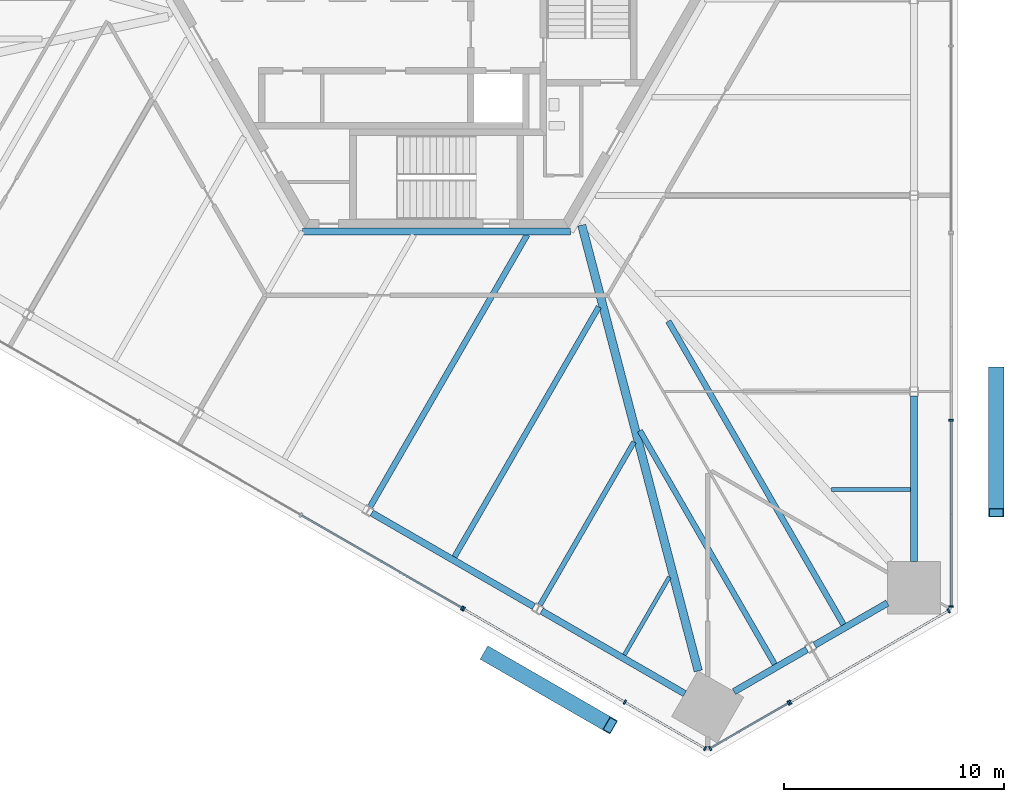
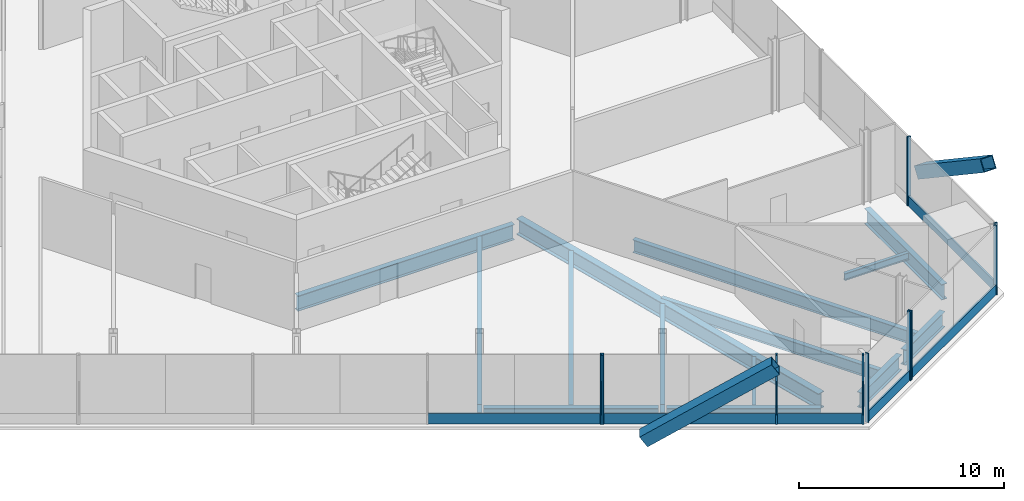
# One storey, part 4 of 17: 18 members, 14 beams, 5 elements without a shape of their own.
"""IFC4 building model written with IfcOpenShell, lengths in metres."""

from ifc_helpers import new_model, si_unit, direction, frame, origin, origin_2d, place, context, subcontext, project, spatial, rectangle, hollow_rectangle, i_section, extrude, source, transform, mapped, material, material_profile, profile_set, type_object, element, aggregate, save


model = new_model("IFC4")

# Units and contexts
model_context = context("Model", 3, precision=1e-05, world=origin(), true_north=direction((0.0, 1.0)))
body_context = subcontext(model_context, "Body", "Model", "MODEL_VIEW")
ifc_project = project(units=[si_unit("LENGTHUNIT", "METRE"), si_unit("AREAUNIT", "SQUARE_METRE"), si_unit("VOLUMEUNIT", "CUBIC_METRE"), si_unit("PLANEANGLEUNIT", "RADIAN"), si_unit("MASSUNIT", "GRAM", prefix="KILO")], contexts=[model_context])

# Site, building, storey
site_placement = place(None, origin())
site = spatial("IfcSite", under=ifc_project, at=site_placement, CompositionType="ELEMENT")
building_placement = place(site_placement, origin())
building = spatial("IfcBuilding", under=site, at=building_placement, Name="Triune Harvest Tower", CompositionType="ELEMENT")
storey_placement = place(building_placement, frame((0.0, 0.0, 46.10009765625)))
storey = spatial("IfcBuildingStorey", under=building, at=storey_placement, Name="L10", CompositionType="ELEMENT", Elevation=46.10009765625)

# Beams
ifc_material_1 = material(Name="Steel ASTM A992 Gr 50", Category="steel")
ifc_material_profile_1 = material_profile(ifc_material_1, i_section(OverallWidth=0.3046875, OverallDepth=0.914306640625, WebThickness=0.0166015625, FlangeThickness=0.02587890625, at=origin_2d()), Name="W36x160")
ifc_profile_set_1 = profile_set([ifc_material_profile_1], Name="Steel ASTM A992 Gr 50")
beam_type_1 = type_object("IfcBeamType", Name="CG-1 Core ring girder W36x160", PredefinedType="BEAM", material=ifc_profile_set_1)
shared_shape_1 = source(origin(), body_context, "Body", "SweptSolid", [
    extrude(i_section(OverallWidth=0.3046875, OverallDepth=0.914306640625, WebThickness=0.0166015625, FlangeThickness=0.02587890625, at=origin_2d()), origin(), (0.0, 0.0, 1.0), 12.17578125),
])
beam_1_placement = place(storey_placement, frame((-6.087890625, -10.544677734375, -0.6572265625), z_axis=(1.0, 0.0, 0.0), x_axis=(0.0, 1.0, 0.0)))
element("IfcBeam", 1, at=beam_1_placement, inside=storey, type_object=beam_type_1, Name="beam/L10/CG5", PredefinedType="BEAM", context=body_context, shape_type="MappedRepresentation", body=[
    mapped(shared_shape_1, transform((0.0, 0.0, 0.0), scale=1.0)),
])
ifc_material_2 = material(Name="Steel ASTM A992 Gr 50", Category="steel")
ifc_material_profile_2 = material_profile(ifc_material_2, i_section(OverallWidth=0.383544921875, OverallDepth=0.9423828125, WebThickness=0.022216796875, FlangeThickness=0.039794921875, at=origin_2d()), Name="W36x232")
ifc_profile_set_2 = profile_set([ifc_material_profile_2], Name="Steel ASTM A992 Gr 50")
beam_type_2 = type_object("IfcBeamType", Name="HG-1 Hip girder W36x232", PredefinedType="BEAM", material=ifc_profile_set_2)
shared_shape_2 = source(origin(), body_context, "Body", "SweptSolid", [
    extrude(i_section(OverallWidth=0.383544921875, OverallDepth=0.9423828125, WebThickness=0.022216796875, FlangeThickness=0.039794921875, at=origin_2d()), origin(), (0.0, 0.0, 1.0), 20.931884765625),
])
beam_2_placement = place(storey_placement, frame((11.8828125, -30.50830078125, -0.67138671875), z_axis=(-0.252690148393, 0.967547254094, 0.0), x_axis=(-0.967547254094, -0.252690148393, 0.0)))
element("IfcBeam", 2, at=beam_2_placement, inside=storey, type_object=beam_type_2, Name="beam/L10/HG6", PredefinedType="BEAM", context=body_context, shape_type="MappedRepresentation", body=[
    mapped(shared_shape_2, transform((0.0, 0.0, 0.0), scale=1.0)),
])
ifc_material_3 = material(Name="Steel ASTM A992 Gr 50", Category="steel")
ifc_material_profile_3 = material_profile(ifc_material_3, i_section(OverallWidth=0.2666015625, OverallDepth=0.7568359375, WebThickness=0.013916015625, FlangeThickness=0.019287109375, at=origin_2d()), Name="W30x108")
ifc_profile_set_3 = profile_set([ifc_material_profile_3], Name="Steel ASTM A992 Gr 50")
beam_type_3 = type_object("IfcBeamType", Name="JT-5 Floor joist W30x108", PredefinedType="JOIST", material=ifc_profile_set_3)
shared_shape_3 = source(origin(), body_context, "Body", "SweptSolid", [
    extrude(i_section(OverallWidth=0.2666015625, OverallDepth=0.7568359375, WebThickness=0.013916015625, FlangeThickness=0.019287109375, at=origin_2d()), origin(), (0.0, 0.0, 1.0), 14.2685546875),
])
beam_3_placement = place(storey_placement, frame((-3.02197265625, -23.053955078125, -0.57861328125), z_axis=(0.499999916269, 0.866025452127, 0.0), x_axis=(-0.866025452127, 0.499999916269, 0.0)))
element("IfcBeam", 3, at=beam_3_placement, inside=storey, type_object=beam_type_3, Name="beam/L10/JT34", PredefinedType="JOIST", context=body_context, shape_type="MappedRepresentation", body=[
    mapped(shared_shape_3, transform((0.0, 0.0, 0.0), scale=1.0)),
])
ifc_material_4 = material(Name="Steel ASTM A992 Gr 50", Category="steel")
ifc_material_profile_4 = material_profile(ifc_material_4, i_section(OverallWidth=0.22900390625, OverallDepth=0.612060546875, WebThickness=0.011962890625, FlangeThickness=0.01953125, at=origin_2d()), Name="W24x84")
ifc_profile_set_4 = profile_set([ifc_material_profile_4], Name="Steel ASTM A992 Gr 50")
beam_type_4 = type_object("IfcBeamType", Name="JT-3 Floor joist W24x84", PredefinedType="JOIST", material=ifc_profile_set_4)
shared_shape_4 = source(origin(), body_context, "Body", "SweptSolid", [
    extrude(i_section(OverallWidth=0.22900390625, OverallDepth=0.612060546875, WebThickness=0.011962890625, FlangeThickness=0.01953125, at=origin_2d()), origin(), (0.0, 0.0, 1.0), 8.54736328125),
])
beam_4_placement = place(storey_placement, frame((4.6943359375, -27.509033203125, -0.506103515625), z_axis=(0.499994426748, 0.866028621479, 0.0), x_axis=(-0.866028621479, 0.499994426748, 0.0)))
element("IfcBeam", 4, at=beam_4_placement, inside=storey, type_object=beam_type_4, Name="beam/L10/JT36", PredefinedType="JOIST", context=body_context, shape_type="MappedRepresentation", body=[
    mapped(shared_shape_4, transform((0.0, 0.0, 0.0), scale=1.0)),
])
ifc_material_5 = material(Name="Steel ASTM A992 Gr 50", Category="steel")
ifc_material_profile_5 = material_profile(ifc_material_5, i_section(OverallWidth=0.3046875, OverallDepth=0.914306640625, WebThickness=0.0166015625, FlangeThickness=0.02587890625, at=origin_2d()), Name="W36x160")
ifc_profile_set_5 = profile_set([ifc_material_profile_5], Name="Steel ASTM A992 Gr 50")
beam_type_5 = type_object("IfcBeamType", Name="SB-1 Spandrel beam W36x160", PredefinedType="SPANDREL", material=ifc_profile_set_5)
shared_shape_5 = source(origin(), body_context, "Body", "SweptSolid", [
    extrude(i_section(OverallWidth=0.3046875, OverallDepth=0.914306640625, WebThickness=0.0166015625, FlangeThickness=0.02587890625, at=origin_2d()), origin(), (0.0, 0.0, 1.0), 7.508056640625),
])
beam_5_placement = place(storey_placement, frame((21.679443359375, -25.530029296875, -0.6572265625), z_axis=(0.0, 1.0, 0.0), x_axis=(-1.0, 0.0, 0.0)))
element("IfcBeam", 5, at=beam_5_placement, inside=storey, type_object=beam_type_5, Name="beam/L10/SB1", PredefinedType="SPANDREL", context=body_context, shape_type="MappedRepresentation", body=[
    mapped(shared_shape_5, transform((0.0, 0.0, 0.0), scale=1.0)),
])
shared_shape_6 = source(origin(), body_context, "Body", "SweptSolid", [
    extrude(i_section(OverallWidth=0.3046875, OverallDepth=0.914306640625, WebThickness=0.0166015625, FlangeThickness=0.02587890625, at=origin_2d()), origin(), (0.0, 0.0, 1.0), 8.506103515625),
])
beam_6_placement = place(storey_placement, frame((-2.948486328125, -23.3310546875, -0.6572265625), z_axis=(0.866030246746, -0.49999161165, 0.0), x_axis=(0.49999161165, 0.866030246746, 0.0)))
element("IfcBeam", 6, at=beam_6_placement, inside=storey, type_object=beam_type_5, Name="beam/L10/SB21", PredefinedType="SPANDREL", context=body_context, shape_type="MappedRepresentation", body=[
    mapped(shared_shape_6, transform((0.0, 0.0, 0.0), scale=1.0)),
])
shared_shape_7 = source(origin(), body_context, "Body", "SweptSolid", [
    extrude(i_section(OverallWidth=0.3046875, OverallDepth=0.914306640625, WebThickness=0.0166015625, FlangeThickness=0.02587890625, at=origin_2d()), origin(), (0.0, 0.0, 1.0), 3.822265625),
])
beam_7_placement = place(storey_placement, frame((17.169189453125, -29.333984375, -0.6572265625), z_axis=(0.866033487859, 0.499985997711, 0.0), x_axis=(-0.499985997711, 0.866033487859, 0.0)))
element("IfcBeam", 7, at=beam_7_placement, inside=storey, type_object=beam_type_5, Name="beam/L10/SB24", PredefinedType="SPANDREL", context=body_context, shape_type="MappedRepresentation", body=[
    mapped(shared_shape_7, transform((0.0, 0.0, 0.0), scale=1.0)),
])
shared_shape_8 = source(origin(), body_context, "Body", "SweptSolid", [
    extrude(i_section(OverallWidth=0.3046875, OverallDepth=0.914306640625, WebThickness=0.0166015625, FlangeThickness=0.02587890625, at=origin_2d()), origin(), (0.0, 0.0, 1.0), 3.822509765625),
])
beam_8_placement = place(storey_placement, frame((13.509033203125, -31.447265625, -0.6572265625), z_axis=(0.866005830769, 0.500033899925, 0.0), x_axis=(-0.500033899925, 0.866005830769, 0.0)))
element("IfcBeam", 8, at=beam_8_placement, inside=storey, type_object=beam_type_5, Name="beam/L10/SB23", PredefinedType="SPANDREL", context=body_context, shape_type="MappedRepresentation", body=[
    mapped(shared_shape_8, transform((0.0, 0.0, 0.0), scale=1.0)),
])
shared_shape_9 = source(origin(), body_context, "Body", "SweptSolid", [
    extrude(i_section(OverallWidth=0.3046875, OverallDepth=0.914306640625, WebThickness=0.0166015625, FlangeThickness=0.02587890625, at=origin_2d()), origin(), (0.0, 0.0, 1.0), 7.50830078125),
])
beam_9_placement = place(storey_placement, frame((4.767578125, -27.785888671875, -0.6572265625), z_axis=(0.866027474485, -0.499996413425, 0.0), x_axis=(0.499996413425, 0.866027474485, 0.0)))
element("IfcBeam", 9, at=beam_9_placement, inside=storey, type_object=beam_type_5, Name="beam/L10/SB22", PredefinedType="SPANDREL", context=body_context, shape_type="MappedRepresentation", body=[
    mapped(shared_shape_9, transform((0.0, 0.0, 0.0), scale=1.0)),
])
ifc_material_6 = material(Name="Steel ASTM A992 Gr 50", Category="steel")
ifc_material_profile_6 = material_profile(ifc_material_6, i_section(OverallWidth=0.180908203125, OverallDepth=0.41650390625, WebThickness=0.010986328125, FlangeThickness=0.01806640625, at=origin_2d()), Name="W16x57")
ifc_profile_set_6 = profile_set([ifc_material_profile_6], Name="Steel ASTM A992 Gr 50")
beam_type_6 = type_object("IfcBeamType", Name="JT-1 Floor joist W16x57", PredefinedType="JOIST", material=ifc_profile_set_6)
shared_shape_10 = source(origin(), body_context, "Body", "SweptSolid", [
    extrude(i_section(OverallWidth=0.180908203125, OverallDepth=0.41650390625, WebThickness=0.010986328125, FlangeThickness=0.01806640625, at=origin_2d()), origin(), (0.0, 0.0, 1.0), 3.599365234375),
])
beam_10_placement = place(storey_placement, frame((21.527099609375, -22.27490234375, -0.408447265625), z_axis=(-1.0, 0.0, 0.0), x_axis=(0.0, -1.0, 0.0)))
element("IfcBeam", 10, at=beam_10_placement, inside=storey, type_object=beam_type_6, Name="beam/L10/JT1", PredefinedType="JOIST", context=body_context, shape_type="MappedRepresentation", body=[
    mapped(shared_shape_10, transform((0.0, 0.0, 0.0), scale=1.0)),
])
ifc_material_7 = material(Name="Steel ASTM A992 Gr 50", Category="steel")
ifc_material_profile_7 = material_profile(ifc_material_7, i_section(OverallWidth=0.253662109375, OverallDepth=0.683349609375, WebThickness=0.012451171875, FlangeThickness=0.01904296875, at=origin_2d()), Name="W27x94")
ifc_profile_set_7 = profile_set([ifc_material_profile_7], Name="Steel ASTM A992 Gr 50")
beam_type_7 = type_object("IfcBeamType", Name="JT-4 Floor joist W27x94", PredefinedType="JOIST", material=ifc_profile_set_7)
shared_shape_11 = source(origin(), body_context, "Body", "SweptSolid", [
    extrude(i_section(OverallWidth=0.253662109375, OverallDepth=0.683349609375, WebThickness=0.012451171875, FlangeThickness=0.01904296875, at=origin_2d()), origin(), (0.0, 0.0, 1.0), 13.110107421875),
])
beam_11_placement = place(storey_placement, frame((0.810791015625, -25.325439453125, -0.541748046875), z_axis=(0.500012613137, 0.866018121464, 0.0), x_axis=(-0.866018121464, 0.500012613137, 0.0)))
element("IfcBeam", 11, at=beam_11_placement, inside=storey, type_object=beam_type_7, Name="beam/L10/JT35", PredefinedType="JOIST", context=body_context, shape_type="MappedRepresentation", body=[
    mapped(shared_shape_11, transform((0.0, 0.0, 0.0), scale=1.0)),
])
shared_shape_12 = source(origin(), body_context, "Body", "SweptSolid", [
    extrude(i_section(OverallWidth=0.180908203125, OverallDepth=0.41650390625, WebThickness=0.010986328125, FlangeThickness=0.01806640625, at=origin_2d()), origin(), (0.0, 0.0, 1.0), 4.08642578125),
])
beam_12_placement = place(storey_placement, frame((8.527099609375, -29.780517578125, -0.408447265625), z_axis=(0.500013794443, 0.866017439413, 0.0), x_axis=(-0.866017439413, 0.500013794443, 0.0)))
element("IfcBeam", 12, at=beam_12_placement, inside=storey, type_object=beam_type_6, Name="beam/L10/JT37", PredefinedType="JOIST", context=body_context, shape_type="MappedRepresentation", body=[
    mapped(shared_shape_12, transform((0.0, 0.0, 0.0), scale=1.0)),
])
shared_shape_13 = source(origin(), body_context, "Body", "SweptSolid", [
    extrude(i_section(OverallWidth=0.253662109375, OverallDepth=0.683349609375, WebThickness=0.012451171875, FlangeThickness=0.01904296875, at=origin_2d()), origin(), (0.0, 0.0, 1.0), 12.2509765625),
])
beam_13_placement = place(storey_placement, frame((15.3564453125, -30.20458984375, -0.541748046875), z_axis=(-0.500001335473, 0.866024632748, 0.0), x_axis=(-0.866024632748, -0.500001335473, 0.0)))
element("IfcBeam", 13, at=beam_13_placement, inside=storey, type_object=beam_type_7, Name="beam/L10/JT38", PredefinedType="JOIST", context=body_context, shape_type="MappedRepresentation", body=[
    mapped(shared_shape_13, transform((0.0, 0.0, 0.0), scale=1.0)),
])
shared_shape_14 = source(origin(), body_context, "Body", "SweptSolid", [
    extrude(i_section(OverallWidth=0.2666015625, OverallDepth=0.7568359375, WebThickness=0.013916015625, FlangeThickness=0.019287109375, at=origin_2d()), origin(), (0.0, 0.0, 1.0), 15.90771484375),
])
beam_14_placement = place(storey_placement, frame((18.479736328125, -28.4013671875, -0.57861328125), z_axis=(-0.499996565981, 0.866027386407, 0.0), x_axis=(-0.866027386407, -0.499996565981, 0.0)))
element("IfcBeam", 14, at=beam_14_placement, inside=storey, type_object=beam_type_3, Name="beam/L10/JT39", PredefinedType="JOIST", context=body_context, shape_type="MappedRepresentation", body=[
    mapped(shared_shape_14, transform((0.0, 0.0, 0.0), scale=1.0)),
])

# Members
ifc_material_8 = material(Name="Steel ASTM A572 Gr 50", Category="steel")
ifc_material_profile_8 = material_profile(ifc_material_8, hollow_rectangle(XDim=0.699951171875, YDim=0.699951171875, WallThickness=0.0400390625, at=origin_2d()), Name="Box 700x700x40")
ifc_profile_set_8 = profile_set([ifc_material_profile_8], Name="Steel ASTM A572 Gr 50")
member_type_1 = type_object("IfcMemberType", Name="BR-1 Brace Box 700x700x40", PredefinedType="BRACE", material=ifc_profile_set_8)
shared_shape_15 = source(origin(), body_context, "Body", "SweptSolid", [
    extrude(hollow_rectangle(XDim=0.699951171875, YDim=0.699951171875, WallThickness=0.0400390625, at=origin_2d()), origin(), (0.0, 0.0, 1.0), 7.728271484375),
])
member_1_placement = place(storey_placement, frame((25.42138671875, -16.893798828125, 0.0), z_axis=(0.0, -0.830930779291, 0.556375808268), x_axis=(1.0, 0.0, 0.0)))
element("IfcMember", 15, at=member_1_placement, inside=storey, type_object=member_type_1, Name="brace/B1-F1/d2/8", PredefinedType="BRACE", context=body_context, shape_type="MappedRepresentation", body=[
    mapped(shared_shape_15, transform((0.0, 0.0, 0.0), scale=1.0)),
])
shared_shape_16 = source(origin(), body_context, "Body", "SweptSolid", [
    extrude(hollow_rectangle(XDim=0.699951171875, YDim=0.699951171875, WallThickness=0.0400390625, at=origin_2d()), origin(), (0.0, 0.0, 1.0), 7.728515625),
])
member_2_placement = place(storey_placement, frame((2.319580078125, -29.76953125, 0.0), z_axis=(0.719616664562, -0.41546963882, 0.556360346631), x_axis=(0.499998884236, 0.86602604797, 0.0)))
element("IfcMember", 16, at=member_2_placement, inside=storey, type_object=member_type_1, Name="brace/B1-F5/d1/8", PredefinedType="BRACE", context=body_context, shape_type="MappedRepresentation", body=[
    mapped(shared_shape_16, transform((0.0, 0.0, 0.0), scale=1.0)),
])

# Curtain wall, members
ifc_material_9 = material(Name="Aluminium bronze anodised", Category="aluminium")
curtain_wall_type_1 = type_object("IfcCurtainWallType", Name="CW-8 Farm floor curtain wall with insulated spandrel infill", PredefinedType="NOTDEFINED", material=ifc_material_9)
curtain_wall_1_placement = place(storey_placement, origin())
curtain_wall_1 = element("IfcCurtainWall", 17, at=curtain_wall_1_placement, inside=storey, type_object=curtain_wall_type_1, Name="CW-8 B1-F1 L10 run 1")
ifc_material_10 = material(Name="Aluminium bronze anodised", Category="aluminium")
ifc_material_profile_9 = material_profile(ifc_material_10, rectangle(XDim=0.199951171875, YDim=0.080078125, at=origin_2d()), Name="MU-3 mullion 80 x 200")
ifc_profile_set_9 = profile_set([ifc_material_profile_9], Name="Aluminium bronze anodised")
member_type_2 = type_object("IfcMemberType", Name="MU-3 mullion 80 x 200", PredefinedType="MULLION", material=ifc_profile_set_9)
shared_shape_17 = source(origin(), body_context, "Body", "SweptSolid", [
    extrude(rectangle(XDim=0.199951171875, YDim=0.080078125, at=origin_2d()), origin(), (0.0, 0.0, 1.0), 4.099853515625),
])
member_3_placement = place(storey_placement, frame((23.371337890625, -27.576904296875, 0.0), z_axis=(0.0, 0.0, 1.0), x_axis=(-1.0, 0.0, 0.0)))
member_3 = element("IfcMember", 18, at=member_3_placement, type_object=member_type_2, Name="CW-8 mullion B1-F1 1.1", PredefinedType="MULLION", context=body_context, shape_type="MappedRepresentation", body=[
    mapped(shared_shape_17, transform((0.0, 0.0, 0.0), scale=1.0)),
])
member_4_placement = place(storey_placement, frame((23.371337890625, -19.119384765625, 0.0), z_axis=(0.0, 0.0, 1.0), x_axis=(-1.0, 0.0, 0.0)))
member_4 = element("IfcMember", 19, at=member_4_placement, type_object=member_type_2, Name="CW-8 mullion B1-F1 1.3", PredefinedType="MULLION", context=body_context, shape_type="MappedRepresentation", body=[
    mapped(shared_shape_17, transform((0.0, 0.0, 0.0), scale=1.0)),
])

# Curtain wall, member
ifc_material_11 = material(Name="Aluminium bronze anodised", Category="aluminium")
curtain_wall_type_2 = type_object("IfcCurtainWallType", Name="CW-3 Farm floor curtain wall", PredefinedType="NOTDEFINED", material=ifc_material_11)
curtain_wall_2_placement = place(storey_placement, origin())
curtain_wall_2 = element("IfcCurtainWall", 20, at=curtain_wall_2_placement, inside=storey, type_object=curtain_wall_type_2, Name="CW-3 B1-F5 L10 run 3001")
member_5_placement = place(storey_placement, frame((1.157958984375, -27.655517578125, 0.0), z_axis=(0.0, 0.0, 1.0), x_axis=(0.499999422532, 0.866025737186, 0.0)))
member_5 = element("IfcMember", 21, at=member_5_placement, type_object=member_type_2, Name="CW-3 mullion B1-F5 3001.7", PredefinedType="MULLION", context=body_context, shape_type="MappedRepresentation", body=[
    mapped(shared_shape_17, transform((0.0, 0.0, 0.0), scale=1.0)),
])

# Curtain wall, members
curtain_wall_3_placement = place(storey_placement, origin())
curtain_wall_3 = element("IfcCurtainWall", 22, at=curtain_wall_3_placement, inside=storey, type_object=curtain_wall_type_1, Name="CW-8 B1-F5 L10 run 4001")
member_6_placement = place(storey_placement, frame((1.227294921875, -27.695556640625, 0.0), z_axis=(0.0, 0.0, 1.0), x_axis=(0.499999161299, 0.866025888008, 0.0)))
member_6 = element("IfcMember", 23, at=member_6_placement, type_object=member_type_2, Name="CW-8 mullion B1-F5 4001.1", PredefinedType="MULLION", context=body_context, shape_type="MappedRepresentation", body=[
    mapped(shared_shape_17, transform((0.0, 0.0, 0.0), scale=1.0)),
])
member_7_placement = place(storey_placement, frame((8.5517578125, -31.92431640625, 0.0), z_axis=(0.0, 0.0, 1.0), x_axis=(0.499999161299, 0.866025888008, 0.0)))
member_7 = element("IfcMember", 24, at=member_7_placement, type_object=member_type_2, Name="CW-8 mullion B1-F5 4001.3", PredefinedType="MULLION", context=body_context, shape_type="MappedRepresentation", body=[
    mapped(shared_shape_17, transform((0.0, 0.0, 0.0), scale=1.0)),
])
member_8_placement = place(storey_placement, frame((12.196533203125, -34.028564453125, 0.0), z_axis=(0.0, 0.0, 1.0), x_axis=(0.499999161299, 0.866025888008, 0.0)))
member_8 = element("IfcMember", 25, at=member_8_placement, type_object=member_type_2, Name="CW-8 mullion B1-F5 4001.4", PredefinedType="MULLION", context=body_context, shape_type="MappedRepresentation", body=[
    mapped(shared_shape_17, transform((0.0, 0.0, 0.0), scale=1.0)),
])

curtain_wall_4_placement = place(storey_placement, origin())
curtain_wall_4 = element("IfcCurtainWall", 26, at=curtain_wall_4_placement, inside=storey, type_object=curtain_wall_type_2, Name="CW-3 B1-F6 L10 run 1")
member_9_placement = place(storey_placement, frame((12.421630859375, -34.028564453125, 0.0), z_axis=(0.0, 0.0, 1.0), x_axis=(-0.499994222841, 0.866028739203, 0.0)))
member_9 = element("IfcMember", 27, at=member_9_placement, type_object=member_type_2, Name="CW-3 mullion B1-F6 1.1", PredefinedType="MULLION", context=body_context, shape_type="MappedRepresentation", body=[
    mapped(shared_shape_17, transform((0.0, 0.0, 0.0), scale=1.0)),
])
member_10_placement = place(storey_placement, frame((15.98779296875, -31.9697265625, 0.0), z_axis=(0.0, 0.0, 1.0), x_axis=(-0.499994222841, 0.866028739203, 0.0)))
member_10 = element("IfcMember", 28, at=member_10_placement, type_object=member_type_2, Name="CW-3 mullion B1-F6 1.2", PredefinedType="MULLION", context=body_context, shape_type="MappedRepresentation", body=[
    mapped(shared_shape_17, transform((0.0, 0.0, 0.0), scale=1.0)),
])

curtain_wall_5_placement = place(storey_placement, origin())
curtain_wall_5 = element("IfcCurtainWall", 29, at=curtain_wall_5_placement, inside=storey, type_object=curtain_wall_type_1, Name="CW-8 B1-F6 L10 run 1001")
member_11_placement = place(storey_placement, frame((16.05712890625, -31.9296875, 0.0), z_axis=(0.0, 0.0, 1.0), x_axis=(-0.500000961283, 0.866024848787, 0.0)))
member_11 = element("IfcMember", 30, at=member_11_placement, type_object=member_type_2, Name="CW-8 mullion B1-F6 1001.1", PredefinedType="MULLION", context=body_context, shape_type="MappedRepresentation", body=[
    mapped(shared_shape_17, transform((0.0, 0.0, 0.0), scale=1.0)),
])
member_12_placement = place(storey_placement, frame((23.2587890625, -27.771728515625, 0.0), z_axis=(0.0, 0.0, 1.0), x_axis=(-0.500000961283, 0.866024848787, 0.0)))
member_12 = element("IfcMember", 31, at=member_12_placement, type_object=member_type_2, Name="CW-8 mullion B1-F6 1001.3", PredefinedType="MULLION", context=body_context, shape_type="MappedRepresentation", body=[
    mapped(shared_shape_17, transform((0.0, 0.0, 0.0), scale=1.0)),
])

# Member
ifc_material_12 = material(Name="Aluminium bronze anodised", Category="aluminium")
ifc_material_profile_10 = material_profile(ifc_material_12, rectangle(XDim=0.090087890625, YDim=0.60009765625, at=origin_2d()), Name="TR-3 transom 90 x 600")
ifc_profile_set_10 = profile_set([ifc_material_profile_10], Name="Aluminium bronze anodised")
member_type_3 = type_object("IfcMemberType", Name="TR-3 transom 90 x 600", PredefinedType="USERDEFINED", material=ifc_profile_set_10)
shared_shape_18 = source(origin(), body_context, "Body", "SweptSolid", [
    extrude(rectangle(XDim=0.090087890625, YDim=0.60009765625, at=origin_2d()), origin(), (0.0, 0.0, 1.0), 8.37744140625),
])
member_13_placement = place(storey_placement, frame((-6.1318359375, -23.44677734375, 0.2998046875), z_axis=(0.866026892193, -0.499997421992, 0.0), x_axis=(0.499997421992, 0.866026892193, 0.0)))
member_13 = element("IfcMember", 32, at=member_13_placement, type_object=member_type_3, Name="CW-3 transom B1-F5 3001.3", ObjectType="TRANSOM", PredefinedType="USERDEFINED", context=body_context, shape_type="MappedRepresentation", body=[
    mapped(shared_shape_18, transform((0.0, 0.0, 0.0), scale=1.0)),
])

aggregate(curtain_wall_2, [member_5, member_13])

member_14_placement = place(storey_placement, frame((1.261962890625, -27.715576171875, 0.2998046875), z_axis=(0.866026892193, -0.499997421992, 0.0), x_axis=(0.499997421992, 0.866026892193, 0.0)))
member_14 = element("IfcMember", 33, at=member_14_placement, type_object=member_type_3, Name="CW-8 transom B1-F5 4001.1", ObjectType="TRANSOM", PredefinedType="USERDEFINED", context=body_context, shape_type="MappedRepresentation", body=[
    mapped(shared_shape_18, transform((0.0, 0.0, 0.0), scale=1.0)),
])

shared_shape_19 = source(origin(), body_context, "Body", "SweptSolid", [
    extrude(rectangle(XDim=0.090087890625, YDim=0.60009765625, at=origin_2d()), origin(), (0.0, 0.0, 1.0), 4.128662109375),
])
member_15_placement = place(storey_placement, frame((8.586181640625, -31.9443359375, 0.2998046875), z_axis=(0.866047731501, -0.499961325266, 0.0), x_axis=(0.499961325266, 0.866047731501, 0.0)))
member_15 = element("IfcMember", 34, at=member_15_placement, type_object=member_type_3, Name="CW-8 transom B1-F5 4001.2", ObjectType="TRANSOM", PredefinedType="USERDEFINED", context=body_context, shape_type="MappedRepresentation", body=[
    mapped(shared_shape_19, transform((0.0, 0.0, 0.0), scale=1.0)),
])

aggregate(curtain_wall_3, [member_6, member_7, member_8, member_14, member_15])

shared_shape_20 = source(origin(), body_context, "Body", "SweptSolid", [
    extrude(rectangle(XDim=0.090087890625, YDim=0.60009765625, at=origin_2d()), origin(), (0.0, 0.0, 1.0), 8.377685546875),
])
member_16_placement = place(storey_placement, frame((23.371337890625, -27.536865234375, 0.2998046875), z_axis=(0.0, 1.0, 0.0), x_axis=(-1.0, 0.0, 0.0)))
member_16 = element("IfcMember", 35, at=member_16_placement, type_object=member_type_3, Name="CW-8 transom B1-F1 1.1", ObjectType="TRANSOM", PredefinedType="USERDEFINED", context=body_context, shape_type="MappedRepresentation", body=[
    mapped(shared_shape_20, transform((0.0, 0.0, 0.0), scale=1.0)),
])

aggregate(curtain_wall_1, [member_3, member_4, member_16])

shared_shape_21 = source(origin(), body_context, "Body", "SweptSolid", [
    extrude(rectangle(XDim=0.090087890625, YDim=0.60009765625, at=origin_2d()), origin(), (0.0, 0.0, 1.0), 4.037841796875),
])
member_17_placement = place(storey_placement, frame((12.456298828125, -34.008544921875, 0.2998046875), z_axis=(0.86603555974, 0.499982408957, 0.0), x_axis=(-0.499982408957, 0.86603555974, 0.0)))
member_17 = element("IfcMember", 36, at=member_17_placement, type_object=member_type_3, Name="CW-3 transom B1-F6 1.1", ObjectType="TRANSOM", PredefinedType="USERDEFINED", context=body_context, shape_type="MappedRepresentation", body=[
    mapped(shared_shape_21, transform((0.0, 0.0, 0.0), scale=1.0)),
])

aggregate(curtain_wall_4, [member_9, member_10, member_17])

shared_shape_22 = source(origin(), body_context, "Body", "SweptSolid", [
    extrude(rectangle(XDim=0.090087890625, YDim=0.60009765625, at=origin_2d()), origin(), (0.0, 0.0, 1.0), 8.23583984375),
])
member_18_placement = place(storey_placement, frame((16.091796875, -31.90966796875, 0.2998046875), z_axis=(0.866021691054, 0.500006430582, 0.0), x_axis=(-0.500006430582, 0.866021691054, 0.0)))
member_18 = element("IfcMember", 37, at=member_18_placement, type_object=member_type_3, Name="CW-8 transom B1-F6 1001.1", ObjectType="TRANSOM", PredefinedType="USERDEFINED", context=body_context, shape_type="MappedRepresentation", body=[
    mapped(shared_shape_22, transform((0.0, 0.0, 0.0), scale=1.0)),
])

aggregate(curtain_wall_5, [member_11, member_12, member_18])

save(model, "model.ifc")
